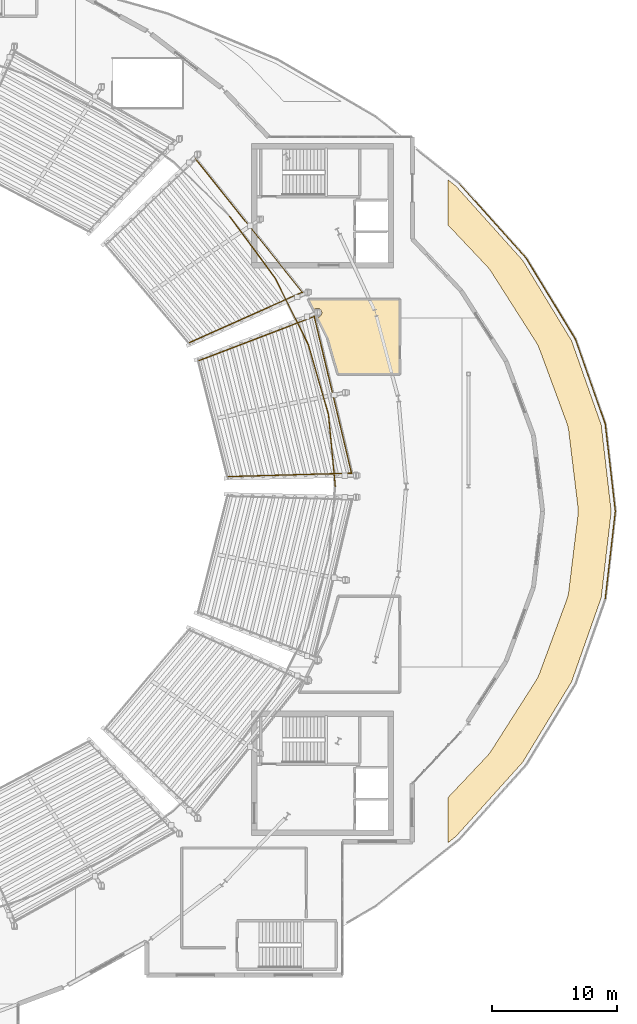
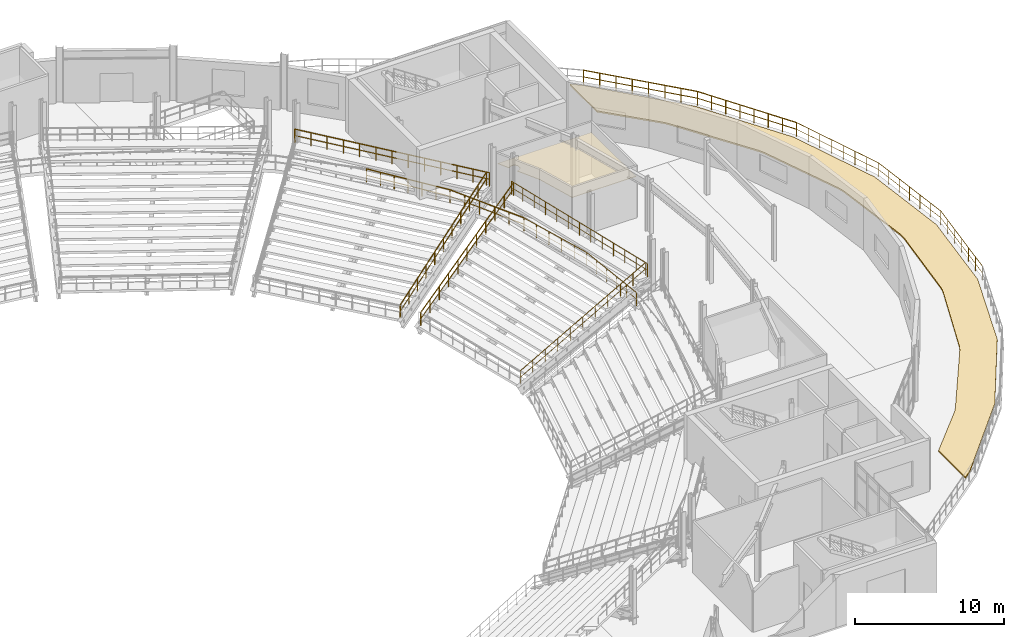
# One storey, part 80 of 81: 14 railings, 2 coverings.
"""IFC4 building model written with IfcOpenShell, lengths in metres."""

from ifc_helpers import new_model, si_unit, direction, frame, origin, origin_2d, place, context, subcontext, project, spatial, polyline, circle, outline, extrude, material, layer, layer_set, type_object, element, save


model = new_model("IFC4")

# Units and contexts
model_context = context("Model", 3, precision=1e-05, world=origin(), true_north=direction((0.0, 1.0)))
body_context = subcontext(model_context, "Body", "Model", "MODEL_VIEW")
ifc_project = project(units=[si_unit("LENGTHUNIT", "METRE"), si_unit("AREAUNIT", "SQUARE_METRE"), si_unit("VOLUMEUNIT", "CUBIC_METRE"), si_unit("PLANEANGLEUNIT", "RADIAN"), si_unit("MASSUNIT", "GRAM", prefix="KILO")], contexts=[model_context])

# Site, building, storey
site_placement = place(None, origin())
site = spatial("IfcSite", under=ifc_project, at=site_placement, CompositionType="ELEMENT")
building_placement = place(site_placement, origin())
building = spatial("IfcBuilding", under=site, at=building_placement, Name="Glasvene Arena", CompositionType="ELEMENT")
storey_placement = place(building_placement, frame((0.0, 0.0, 15.0)))
storey = spatial("IfcBuildingStorey", under=building, at=storey_placement, Name="L03", CompositionType="ELEMENT", Elevation=15.0)

# Coverings
ifc_material_1 = material(Name="Perforated acoustic mineral ceiling tile")
ifc_layer_1 = layer(ifc_material_1, 0.0400390625)
ifc_layer_set_1 = layer_set([ifc_layer_1], Name="Perforated acoustic mineral ceiling tile")
covering_type_1 = type_object("IfcCoveringType", Name="COV-CEIL-AC", PredefinedType="CEILING", material=ifc_layer_set_1)
covering_1_placement = place(storey_placement, frame((135.384521484375, 86.727783203125, 3.31005859375)))
element("IfcCovering", 1, at=covering_1_placement, inside=storey, type_object=covering_type_1, Name="Acoustic suspended ceiling Founders Hospitality Suite 04", PredefinedType="CEILING", context=body_context, shape_type="SweptSolid", body=[
    extrude(outline(polyline([(6.095458984375, -4.707763671875), (1.148681640625, -4.707763671875), (0.322998046875, -1.83447265625), (-0.50341796875, -0.1650390625), (-0.48193359375, -0.163818359375), (-0.374755859375, -0.142333984375), (-0.35986328125, -0.137939453125), (-0.345947265625, -0.13037109375), (-0.255126953125, -0.06982421875), (-0.242919921875, -0.059814453125), (-0.233154296875, -0.047607421875), (-0.17236328125, 0.043212890625), (-0.1650390625, 0.056884765625), (-0.160400390625, 0.072021484375), (-0.13916015625, 0.17919921875), (-0.1376953125, 0.19482421875), (-0.13916015625, 0.210205078125), (-0.160400390625, 0.317626953125), (-0.1650390625, 0.33251953125), (-0.17236328125, 0.346435546875), (-0.233154296875, 0.43701171875), (-0.242919921875, 0.44921875), (-0.255126953125, 0.459228515625), (-0.345947265625, 0.52001953125), (-0.35986328125, 0.52734375), (-0.374755859375, 0.53173828125), (-0.48193359375, 0.55322265625), (-0.49755859375, 0.5546875), (-0.51318359375, 0.55322265625), (-0.620361328125, 0.53173828125), (-0.635498046875, 0.52734375), (-0.649169921875, 0.52001953125), (-0.739990234375, 0.459228515625), (-0.752197265625, 0.44921875), (-0.76220703125, 0.43701171875), (-0.784912109375, 0.4033203125), (-1.205322265625, 1.252197265625), (6.095458984375, 1.252197265625), (6.095458984375, -4.707763671875)])), origin(), (0.0, 0.0, 1.0), 0.0400390625),
])
ifc_material_2 = material(Name="Planted sedum green roof substrate")
ifc_layer_2 = layer(ifc_material_2, 0.1201171875)
ifc_layer_set_2 = layer_set([ifc_layer_2], Name="Planted sedum green roof substrate")
covering_type_2 = type_object("IfcCoveringType", Name="COV-ROOF-SEDUM", PredefinedType="ROOFING", material=ifc_layer_set_2)
covering_2_placement = place(storey_placement, frame((151.9306640625, 70.06982421875, 0.0)))
element("IfcCovering", 2, at=covering_2_placement, inside=storey, type_object=covering_type_2, Name="Planted limestone terrace sedum bed TR-L03-STEP2-1-04", PredefinedType="ROOFING", context=body_context, shape_type="SweptSolid", body=[
    extrude(outline(polyline([(-6.58447265625, -25.657958984375), (-6.5810546875, -25.592041015625), (-6.58056640625, -25.56982421875), (-6.58056640625, -22.036376953125), (-3.441650390625, -18.708251953125), (-3.42724609375, -18.6923828125), (-3.280029296875, -18.520751953125), (-3.25390625, -18.4873046875), (-3.12353515625, -18.302490234375), (-3.111572265625, -18.284912109375), (0.48828125, -12.63818359375), (0.500732421875, -12.617431640625), (0.626708984375, -12.39453125), (0.64794921875, -12.351318359375), (0.74951171875, -12.1162109375), (0.758544921875, -12.09375), (2.95458984375, -6.150634765625), (2.962890625, -6.1259765625), (3.04443359375, -5.858154296875), (3.056884765625, -5.80712890625), (3.106689453125, -5.53173828125), (3.110595703125, -5.505615234375), (3.8486328125, 0.58740234375), (3.85107421875, 0.614501953125), (3.86865234375, 0.903076171875), (3.86865234375, 0.957275390625), (3.85107421875, 1.245849609375), (3.8486328125, 1.27294921875), (3.110595703125, 7.365966796875), (3.106689453125, 7.39208984375), (3.056884765625, 7.66748046875), (3.04443359375, 7.718505859375), (2.962890625, 7.986328125), (2.95458984375, 8.010986328125), (0.758544921875, 13.9541015625), (0.74951171875, 13.9765625), (0.64794921875, 14.211669921875), (0.626708984375, 14.2548828125), (0.500732421875, 14.477783203125), (0.48828125, 14.49853515625), (-3.111572265625, 20.145263671875), (-3.12353515625, 20.162841796875), (-3.25390625, 20.34765625), (-3.280029296875, 20.381103515625), (-3.42724609375, 20.552734375), (-3.441650390625, 20.568603515625), (-6.58056640625, 23.896728515625), (-6.58056640625, 27.515380859375), (-5.92626953125, 26.9931640625), (-0.576171875, 21.044677734375), (3.3349609375, 14.611328125), (5.716796875, 7.852294921875), (6.516357421875, 0.93017578125), (5.716796875, -5.991943359375), (3.3349609375, -12.7509765625), (-0.576171875, -19.184326171875), (-5.92626953125, -25.1328125), (-6.58447265625, -25.657958984375)])), origin(), (0.0, 0.0, 1.0), 0.1201171875),
])

# Railings
ifc_material_3 = material(Name="Brushed stainless steel", Category="steel")
railing_type_1 = type_object("IfcRailingType", Name="RL-GUARD-1100", PredefinedType="GUARDRAIL", material=ifc_material_3)
railing_1_placement = place(storey_placement, frame((136.320068359375, 73.0, 0.0)))
element("IfcRailing", 3, at=railing_1_placement, inside=storey, type_object=railing_type_1, Name="Safety guardrail GD-BWL-L03-001", PredefinedType="GUARDRAIL", context=body_context, shape_type="SweptSolid", body=[
    extrude(circle(Radius=0.02392578125, at=origin_2d()), frame((0.0, 0.0, 1.076171875), z_axis=(-0.094309265042, 0.99554294861, 0.0), x_axis=(-0.99554294861, -0.094309265042, 0.0)), (0.0, 0.0, 1.0), 5.785888671875),
    extrude(circle(Radius=0.01611328125, at=origin_2d()), frame((0.0, 0.0, 0.550048828125), z_axis=(-0.094309265042, 0.99554294861, 0.0), x_axis=(-0.99554294861, -0.094309265042, 0.0)), (0.0, 0.0, 1.0), 5.785888671875),
    extrude(circle(Radius=0.02099609375, at=origin_2d()), origin(), (0.0, 0.0, 1.0), 1.052001953125),
    extrude(circle(Radius=0.02099609375, at=origin_2d()), frame((-0.109130859375, 1.152099609375, 0.0)), (0.0, 0.0, 1.0), 1.052001953125),
    extrude(circle(Radius=0.02099609375, at=origin_2d()), frame((-0.21826171875, 2.303955078125, 0.0)), (0.0, 0.0, 1.0), 1.052001953125),
    extrude(circle(Radius=0.02099609375, at=origin_2d()), frame((-0.327392578125, 3.4560546875, 0.0)), (0.0, 0.0, 1.0), 1.052001953125),
    extrude(circle(Radius=0.02099609375, at=origin_2d()), frame((-0.4365234375, 4.60791015625, 0.0)), (0.0, 0.0, 1.0), 1.052001953125),
    extrude(circle(Radius=0.02099609375, at=origin_2d()), frame((-0.545654296875, 5.760009765625, 0.0)), (0.0, 0.0, 1.0), 1.052001953125),
])
railing_2_placement = place(storey_placement, frame((135.7744140625, 78.760009765625, 0.0)))
element("IfcRailing", 4, at=railing_2_placement, inside=storey, type_object=railing_type_1, Name="Safety guardrail GD-BWL-L03-002", PredefinedType="GUARDRAIL", context=body_context, shape_type="SweptSolid", body=[
    extrude(circle(Radius=0.02392578125, at=origin_2d()), frame((0.0, 0.0, 1.076171875), z_axis=(-0.27763127496, 0.960687709489, 0.0), x_axis=(-0.960687709489, -0.27763127496, 0.0)), (0.0, 0.0, 1.0), 5.847900390625),
    extrude(circle(Radius=0.01611328125, at=origin_2d()), frame((0.0, 0.0, 0.550048828125), z_axis=(-0.27763127496, 0.960687709489, 0.0), x_axis=(-0.960687709489, -0.27763127496, 0.0)), (0.0, 0.0, 1.0), 5.847900390625),
    extrude(circle(Radius=0.02099609375, at=origin_2d()), origin(), (0.0, 0.0, 1.0), 1.052001953125),
    extrude(circle(Radius=0.02099609375, at=origin_2d()), frame((-0.32470703125, 1.12353515625, 0.0)), (0.0, 0.0, 1.0), 1.052001953125),
    extrude(circle(Radius=0.02099609375, at=origin_2d()), frame((-0.6494140625, 2.2470703125, 0.0)), (0.0, 0.0, 1.0), 1.052001953125),
    extrude(circle(Radius=0.02099609375, at=origin_2d()), frame((-0.97412109375, 3.370849609375, 0.0)), (0.0, 0.0, 1.0), 1.052001953125),
    extrude(circle(Radius=0.02099609375, at=origin_2d()), frame((-1.298828125, 4.494384765625, 0.0)), (0.0, 0.0, 1.0), 1.052001953125),
    extrude(circle(Radius=0.02099609375, at=origin_2d()), frame((-1.62353515625, 5.617919921875, 0.0)), (0.0, 0.0, 1.0), 1.052001953125),
])
railing_3_placement = place(storey_placement, frame((134.15087890625, 84.3779296875, 0.0)))
element("IfcRailing", 5, at=railing_3_placement, inside=storey, type_object=railing_type_1, Name="Safety guardrail GD-BWL-L03-003", PredefinedType="GUARDRAIL", context=body_context, shape_type="SweptSolid", body=[
    extrude(circle(Radius=0.02392578125, at=origin_2d()), frame((0.0, 0.0, 1.076171875), z_axis=(-0.446198197372, 0.894934170016, 0.0), x_axis=(-0.894934170016, -0.446198197372, 0.0)), (0.0, 0.0, 1.0), 5.964599609375),
    extrude(circle(Radius=0.01611328125, at=origin_2d()), frame((0.0, 0.0, 0.550048828125), z_axis=(-0.446198197372, 0.894934170016, 0.0), x_axis=(-0.894934170016, -0.446198197372, 0.0)), (0.0, 0.0, 1.0), 5.964599609375),
    extrude(circle(Radius=0.02099609375, at=origin_2d()), origin(), (0.0, 0.0, 1.0), 1.052001953125),
    extrude(circle(Radius=0.02099609375, at=origin_2d()), frame((-0.5322265625, 1.067626953125, 0.0)), (0.0, 0.0, 1.0), 1.052001953125),
    extrude(circle(Radius=0.02099609375, at=origin_2d()), frame((-1.064453125, 2.13525390625, 0.0)), (0.0, 0.0, 1.0), 1.052001953125),
    extrude(circle(Radius=0.02099609375, at=origin_2d()), frame((-1.596923828125, 3.20263671875, 0.0)), (0.0, 0.0, 1.0), 1.052001953125),
    extrude(circle(Radius=0.02099609375, at=origin_2d()), frame((-2.129150390625, 4.270263671875, 0.0)), (0.0, 0.0, 1.0), 1.052001953125),
    extrude(circle(Radius=0.02099609375, at=origin_2d()), frame((-2.661376953125, 5.337890625, 0.0)), (0.0, 0.0, 1.0), 1.052001953125),
])
railing_4_placement = place(storey_placement, frame((131.489501953125, 89.7158203125, 0.0)))
element("IfcRailing", 6, at=railing_4_placement, inside=storey, type_object=railing_type_1, Name="Safety guardrail GD-BWL-L03-004", PredefinedType="GUARDRAIL", context=body_context, shape_type="SweptSolid", body=[
    extrude(circle(Radius=0.02392578125, at=origin_2d()), frame((0.0, 0.0, 1.076171875), z_axis=(-0.593593483954, 0.804765043853, 0.0), x_axis=(-0.804765043853, -0.593593483954, 0.0)), (0.0, 0.0, 1.0), 6.12158203125),
    extrude(circle(Radius=0.01611328125, at=origin_2d()), frame((0.0, 0.0, 0.550048828125), z_axis=(-0.593593483954, 0.804765043853, 0.0), x_axis=(-0.804765043853, -0.593593483954, 0.0)), (0.0, 0.0, 1.0), 6.12158203125),
    extrude(circle(Radius=0.02099609375, at=origin_2d()), origin(), (0.0, 0.0, 1.0), 1.052001953125),
    extrude(circle(Radius=0.02099609375, at=origin_2d()), frame((-0.605712890625, 0.821044921875, 0.0)), (0.0, 0.0, 1.0), 1.052001953125),
    extrude(circle(Radius=0.02099609375, at=origin_2d()), frame((-1.211181640625, 1.64208984375, 0.0)), (0.0, 0.0, 1.0), 1.052001953125),
    extrude(circle(Radius=0.02099609375, at=origin_2d()), frame((-1.81689453125, 2.46337890625, 0.0)), (0.0, 0.0, 1.0), 1.052001953125),
    extrude(circle(Radius=0.02099609375, at=origin_2d()), frame((-2.422607421875, 3.284423828125, 0.0)), (0.0, 0.0, 1.0), 1.052001953125),
    extrude(circle(Radius=0.02099609375, at=origin_2d()), frame((-3.028076171875, 4.10546875, 0.0)), (0.0, 0.0, 1.0), 1.052001953125),
    extrude(circle(Radius=0.02099609375, at=origin_2d()), frame((-3.6337890625, 4.926513671875, 0.0)), (0.0, 0.0, 1.0), 1.052001953125),
])
railing_5_placement = place(storey_placement, frame((137.668212890625, 73.8662109375, 1.3798828125)))
element("IfcRailing", 7, at=railing_5_placement, inside=storey, type_object=railing_type_1, Name="Safety guardrail GD-TU-UR-01-001", PredefinedType="GUARDRAIL", context=body_context, shape_type="SweptSolid", body=[
    extrude(circle(Radius=0.02392578125, at=origin_2d()), frame((0.0, 0.0, 1.076171875), z_axis=(-0.231512176675, 0.972832006079, 0.0), x_axis=(-0.972832006079, -0.231512176675, 0.0)), (0.0, 0.0, 1.0), 13.302001953125),
    extrude(circle(Radius=0.01611328125, at=origin_2d()), frame((0.0, 0.0, 0.550048828125), z_axis=(-0.231512176675, 0.972832006079, 0.0), x_axis=(-0.972832006079, -0.231512176675, 0.0)), (0.0, 0.0, 1.0), 13.302001953125),
    extrude(circle(Radius=0.02099609375, at=origin_2d()), origin(), (0.0, 0.0, 1.0), 1.052001953125),
    extrude(circle(Radius=0.02099609375, at=origin_2d()), frame((-0.256591796875, 1.078369140625, 0.0)), (0.0, 0.0, 1.0), 1.052001953125),
    extrude(circle(Radius=0.02099609375, at=origin_2d()), frame((-0.51318359375, 2.15673828125, 0.0)), (0.0, 0.0, 1.0), 1.052001953125),
    extrude(circle(Radius=0.02099609375, at=origin_2d()), frame((-0.77001953125, 3.235107421875, 0.0)), (0.0, 0.0, 1.0), 1.052001953125),
    extrude(circle(Radius=0.02099609375, at=origin_2d()), frame((-1.026611328125, 4.3134765625, 0.0)), (0.0, 0.0, 1.0), 1.052001953125),
    extrude(circle(Radius=0.02099609375, at=origin_2d()), frame((-1.283203125, 5.391845703125, 0.0)), (0.0, 0.0, 1.0), 1.052001953125),
    extrude(circle(Radius=0.02099609375, at=origin_2d()), frame((-1.539794921875, 6.47021484375, 0.0)), (0.0, 0.0, 1.0), 1.052001953125),
    extrude(circle(Radius=0.02099609375, at=origin_2d()), frame((-1.79638671875, 7.548828125, 0.0)), (0.0, 0.0, 1.0), 1.052001953125),
    extrude(circle(Radius=0.02099609375, at=origin_2d()), frame((-2.052978515625, 8.627197265625, 0.0)), (0.0, 0.0, 1.0), 1.052001953125),
    extrude(circle(Radius=0.02099609375, at=origin_2d()), frame((-2.3095703125, 9.70556640625, 0.0)), (0.0, 0.0, 1.0), 1.052001953125),
    extrude(circle(Radius=0.02099609375, at=origin_2d()), frame((-2.56640625, 10.783935546875, 0.0)), (0.0, 0.0, 1.0), 1.052001953125),
    extrude(circle(Radius=0.02099609375, at=origin_2d()), frame((-2.822998046875, 11.8623046875, 0.0)), (0.0, 0.0, 1.0), 1.052001953125),
    extrude(circle(Radius=0.02099609375, at=origin_2d()), frame((-3.07958984375, 12.940673828125, 0.0)), (0.0, 0.0, 1.0), 1.052001953125),
])
railing_6_placement = place(storey_placement, frame((127.736328125, 73.781982421875, -3.89990234375)))
element("IfcRailing", 8, at=railing_6_placement, inside=storey, type_object=railing_type_1, Name="Upper tier radial aisle guard 01-1", PredefinedType="GUARDRAIL", context=body_context, shape_type="SweptSolid", body=[
    extrude(circle(Radius=0.02392578125, at=origin_2d()), frame((0.0, 0.0, 1.076171875), z_axis=(0.882023201836, 0.024435970289, 0.470571944317), x_axis=(-0.027693826966, 0.99961645242, 0.0)), (0.0, 0.0, 1.0), 11.219970703125),
    extrude(circle(Radius=0.01611328125, at=origin_2d()), frame((0.0, 0.0, 0.550048828125), z_axis=(0.882023201836, 0.024435970289, 0.470571944317), x_axis=(-0.027693826966, 0.99961645242, 0.0)), (0.0, 0.0, 1.0), 11.219970703125),
    extrude(circle(Radius=0.02099609375, at=origin_2d()), origin(), (0.0, 0.0, 1.0), 1.052001953125),
    extrude(circle(Radius=0.02099609375, at=origin_2d()), frame((0.98974609375, 0.02734375, 0.528076171875)), (0.0, 0.0, 1.0), 1.052001953125),
    extrude(circle(Radius=0.02099609375, at=origin_2d()), frame((1.979248046875, 0.054931640625, 1.055908203125)), (0.0, 0.0, 1.0), 1.052001953125),
    extrude(circle(Radius=0.02099609375, at=origin_2d()), frame((2.96875, 0.082275390625, 1.583984375)), (0.0, 0.0, 1.0), 1.052001953125),
    extrude(circle(Radius=0.02099609375, at=origin_2d()), frame((3.95849609375, 0.109619140625, 2.11181640625)), (0.0, 0.0, 1.0), 1.052001953125),
    extrude(circle(Radius=0.02099609375, at=origin_2d()), frame((4.9482421875, 0.13720703125, 2.639892578125)), (0.0, 0.0, 1.0), 1.052001953125),
    extrude(circle(Radius=0.02099609375, at=origin_2d()), frame((5.937744140625, 0.16455078125, 3.16796875)), (0.0, 0.0, 1.0), 1.052001953125),
    extrude(circle(Radius=0.02099609375, at=origin_2d()), frame((6.92724609375, 0.19189453125, 3.69580078125)), (0.0, 0.0, 1.0), 1.052001953125),
    extrude(circle(Radius=0.02099609375, at=origin_2d()), frame((7.9169921875, 0.21923828125, 4.223876953125)), (0.0, 0.0, 1.0), 1.052001953125),
    extrude(circle(Radius=0.02099609375, at=origin_2d()), frame((8.90673828125, 0.246826171875, 4.751708984375)), (0.0, 0.0, 1.0), 1.052001953125),
    extrude(circle(Radius=0.02099609375, at=origin_2d()), frame((9.896240234375, 0.274169921875, 5.27978515625)), (0.0, 0.0, 1.0), 1.052001953125),
])
railing_7_placement = place(storey_placement, frame((125.394775390625, 83.083984375, -3.89990234375)))
element("IfcRailing", 9, at=railing_7_placement, inside=storey, type_object=railing_type_1, Name="Upper tier radial aisle guard 01-2", PredefinedType="GUARDRAIL", context=body_context, shape_type="SweptSolid", body=[
    extrude(circle(Radius=0.02392578125, at=origin_2d()), frame((0.0, 0.0, 1.076171875), z_axis=(0.824230449904, 0.314969660296, 0.470572288329), x_axis=(-0.3569621743, 0.934118839399, 0.0)), (0.0, 0.0, 1.0), 11.219970703125),
    extrude(circle(Radius=0.01611328125, at=origin_2d()), frame((0.0, 0.0, 0.550048828125), z_axis=(0.824230449904, 0.314969660296, 0.470572288329), x_axis=(-0.3569621743, 0.934118839399, 0.0)), (0.0, 0.0, 1.0), 11.219970703125),
    extrude(circle(Radius=0.02099609375, at=origin_2d()), origin(), (0.0, 0.0, 1.0), 1.052001953125),
    extrude(circle(Radius=0.02099609375, at=origin_2d()), frame((0.9248046875, 0.353515625, 0.528076171875)), (0.0, 0.0, 1.0), 1.052001953125),
    extrude(circle(Radius=0.02099609375, at=origin_2d()), frame((1.849609375, 0.706787109375, 1.055908203125)), (0.0, 0.0, 1.0), 1.052001953125),
    extrude(circle(Radius=0.02099609375, at=origin_2d()), frame((2.7744140625, 1.06005859375, 1.583984375)), (0.0, 0.0, 1.0), 1.052001953125),
    extrude(circle(Radius=0.02099609375, at=origin_2d()), frame((3.69921875, 1.41357421875, 2.11181640625)), (0.0, 0.0, 1.0), 1.052001953125),
    extrude(circle(Radius=0.02099609375, at=origin_2d()), frame((4.6240234375, 1.76708984375, 2.639892578125)), (0.0, 0.0, 1.0), 1.052001953125),
    extrude(circle(Radius=0.02099609375, at=origin_2d()), frame((5.548583984375, 2.120361328125, 3.16796875)), (0.0, 0.0, 1.0), 1.052001953125),
    extrude(circle(Radius=0.02099609375, at=origin_2d()), frame((6.473388671875, 2.4736328125, 3.69580078125)), (0.0, 0.0, 1.0), 1.052001953125),
    extrude(circle(Radius=0.02099609375, at=origin_2d()), frame((7.398193359375, 2.8271484375, 4.223876953125)), (0.0, 0.0, 1.0), 1.052001953125),
    extrude(circle(Radius=0.02099609375, at=origin_2d()), frame((8.322998046875, 3.1806640625, 4.751708984375)), (0.0, 0.0, 1.0), 1.052001953125),
    extrude(circle(Radius=0.02099609375, at=origin_2d()), frame((9.247802734375, 3.533935546875, 5.27978515625)), (0.0, 0.0, 1.0), 1.052001953125),
])
railing_8_placement = place(storey_placement, frame((133.79541015625, 88.407470703125, 1.3798828125)))
element("IfcRailing", 10, at=railing_8_placement, inside=storey, type_object=railing_type_1, Name="Safety guardrail GD-TU-UR-02-001", PredefinedType="GUARDRAIL", context=body_context, shape_type="SweptSolid", body=[
    extrude(circle(Radius=0.02392578125, at=origin_2d()), frame((0.0, 0.0, 1.076171875), z_axis=(-0.624430035096, 0.781080745679, 0.0), x_axis=(-0.781080745679, -0.624430035096, 0.0)), (0.0, 0.0, 1.0), 14.045166015625),
    extrude(circle(Radius=0.01611328125, at=origin_2d()), frame((0.0, 0.0, 0.550048828125), z_axis=(-0.624430035096, 0.781080745679, 0.0), x_axis=(-0.781080745679, -0.624430035096, 0.0)), (0.0, 0.0, 1.0), 14.045166015625),
    extrude(circle(Radius=0.02099609375, at=origin_2d()), origin(), (0.0, 0.0, 1.0), 1.052001953125),
    extrude(circle(Radius=0.02099609375, at=origin_2d()), frame((-0.73095703125, 0.914306640625, 0.0)), (0.0, 0.0, 1.0), 1.052001953125),
    extrude(circle(Radius=0.02099609375, at=origin_2d()), frame((-1.461669921875, 1.828369140625, 0.0)), (0.0, 0.0, 1.0), 1.052001953125),
    extrude(circle(Radius=0.02099609375, at=origin_2d()), frame((-2.192626953125, 2.74267578125, 0.0)), (0.0, 0.0, 1.0), 1.052001953125),
    extrude(circle(Radius=0.02099609375, at=origin_2d()), frame((-2.92333984375, 3.65673828125, 0.0)), (0.0, 0.0, 1.0), 1.052001953125),
    extrude(circle(Radius=0.02099609375, at=origin_2d()), frame((-3.654296875, 4.571044921875, 0.0)), (0.0, 0.0, 1.0), 1.052001953125),
    extrude(circle(Radius=0.02099609375, at=origin_2d()), frame((-4.38525390625, 5.4853515625, 0.0)), (0.0, 0.0, 1.0), 1.052001953125),
    extrude(circle(Radius=0.02099609375, at=origin_2d()), frame((-5.115966796875, 6.3994140625, 0.0)), (0.0, 0.0, 1.0), 1.052001953125),
    extrude(circle(Radius=0.02099609375, at=origin_2d()), frame((-5.846923828125, 7.313720703125, 0.0)), (0.0, 0.0, 1.0), 1.052001953125),
    extrude(circle(Radius=0.02099609375, at=origin_2d()), frame((-6.57763671875, 8.227783203125, 0.0)), (0.0, 0.0, 1.0), 1.052001953125),
    extrude(circle(Radius=0.02099609375, at=origin_2d()), frame((-7.30859375, 9.14208984375, 0.0)), (0.0, 0.0, 1.0), 1.052001953125),
    extrude(circle(Radius=0.02099609375, at=origin_2d()), frame((-8.039306640625, 10.05615234375, 0.0)), (0.0, 0.0, 1.0), 1.052001953125),
    extrude(circle(Radius=0.02099609375, at=origin_2d()), frame((-8.770263671875, 10.970458984375, 0.0)), (0.0, 0.0, 1.0), 1.052001953125),
])
railing_9_placement = place(storey_placement, frame((124.63720703125, 84.529296875, -3.89990234375)))
element("IfcRailing", 11, at=railing_9_placement, inside=storey, type_object=railing_type_1, Name="Upper tier radial aisle guard 02-1", PredefinedType="GUARDRAIL", context=body_context, shape_type="SweptSolid", body=[
    extrude(circle(Radius=0.02392578125, at=origin_2d()), frame((0.0, 0.0, 1.076171875), z_axis=(0.805537930588, 0.360098520078, 0.470571671715), x_axis=(-0.408107570305, 0.912933848129, 0.0)), (0.0, 0.0, 1.0), 11.219970703125),
    extrude(circle(Radius=0.01611328125, at=origin_2d()), frame((0.0, 0.0, 0.550048828125), z_axis=(0.805537930588, 0.360098520078, 0.470571671715), x_axis=(-0.408107570305, 0.912933848129, 0.0)), (0.0, 0.0, 1.0), 11.219970703125),
    extrude(circle(Radius=0.02099609375, at=origin_2d()), origin(), (0.0, 0.0, 1.0), 1.052001953125),
    extrude(circle(Radius=0.02099609375, at=origin_2d()), frame((0.90380859375, 0.404052734375, 0.528076171875)), (0.0, 0.0, 1.0), 1.052001953125),
    extrude(circle(Radius=0.02099609375, at=origin_2d()), frame((1.8076171875, 0.80810546875, 1.055908203125)), (0.0, 0.0, 1.0), 1.052001953125),
    extrude(circle(Radius=0.02099609375, at=origin_2d()), frame((2.71142578125, 1.212158203125, 1.583984375)), (0.0, 0.0, 1.0), 1.052001953125),
    extrude(circle(Radius=0.02099609375, at=origin_2d()), frame((3.615234375, 1.6162109375, 2.11181640625)), (0.0, 0.0, 1.0), 1.052001953125),
    extrude(circle(Radius=0.02099609375, at=origin_2d()), frame((4.51904296875, 2.02001953125, 2.639892578125)), (0.0, 0.0, 1.0), 1.052001953125),
    extrude(circle(Radius=0.02099609375, at=origin_2d()), frame((5.4228515625, 2.424072265625, 3.16796875)), (0.0, 0.0, 1.0), 1.052001953125),
    extrude(circle(Radius=0.02099609375, at=origin_2d()), frame((6.32666015625, 2.828125, 3.69580078125)), (0.0, 0.0, 1.0), 1.052001953125),
    extrude(circle(Radius=0.02099609375, at=origin_2d()), frame((7.23046875, 3.232177734375, 4.223876953125)), (0.0, 0.0, 1.0), 1.052001953125),
    extrude(circle(Radius=0.02099609375, at=origin_2d()), frame((8.13427734375, 3.63623046875, 4.751708984375)), (0.0, 0.0, 1.0), 1.052001953125),
    extrude(circle(Radius=0.02099609375, at=origin_2d()), frame((9.0380859375, 4.040283203125, 5.27978515625)), (0.0, 0.0, 1.0), 1.052001953125),
])
ifc_material_4 = material(Name="Warm bronze architectural aluminium", Category="aluminium")
railing_type_2 = type_object("IfcRailingType", Name="RL-GUARD-EXT-1150", PredefinedType="GUARDRAIL", material=ifc_material_4)
railing_10_placement = place(storey_placement, frame((146.231689453125, 97.303955078125, 0.0)))
element("IfcRailing", 12, at=railing_10_placement, inside=storey, type_object=railing_type_2, Name="Safety guardrail GD-TER-L03-TR-L03-STEP2-1-01-001", PredefinedType="GUARDRAIL", context=body_context, shape_type="SweptSolid", body=[
    extrude(circle(Radius=0.02392578125, at=origin_2d()), frame((0.0, 0.0, 1.1259765625), z_axis=(0.66871697273, -0.743517054534, 0.0), x_axis=(0.743517054534, 0.66871697273, 0.0)), (0.0, 0.0, 1.0), 8.05859375),
    extrude(circle(Radius=0.01611328125, at=origin_2d()), frame((0.0, 0.0, 0.574951171875), z_axis=(0.66871697273, -0.743517054534, 0.0), x_axis=(0.743517054534, 0.66871697273, 0.0)), (0.0, 0.0, 1.0), 8.05859375),
    extrude(circle(Radius=0.02099609375, at=origin_2d()), origin(), (0.0, 0.0, 1.0), 1.101806640625),
    extrude(circle(Radius=0.02099609375, at=origin_2d()), frame((0.769775390625, -0.85595703125, 0.0)), (0.0, 0.0, 1.0), 1.101806640625),
    extrude(circle(Radius=0.02099609375, at=origin_2d()), frame((1.539794921875, -1.7119140625, 0.0)), (0.0, 0.0, 1.0), 1.101806640625),
    extrude(circle(Radius=0.02099609375, at=origin_2d()), frame((2.3095703125, -2.56787109375, 0.0)), (0.0, 0.0, 1.0), 1.101806640625),
    extrude(circle(Radius=0.02099609375, at=origin_2d()), frame((3.079345703125, -3.423828125, 0.0)), (0.0, 0.0, 1.0), 1.101806640625),
    extrude(circle(Radius=0.02099609375, at=origin_2d()), frame((3.84912109375, -4.27978515625, 0.0)), (0.0, 0.0, 1.0), 1.101806640625),
    extrude(circle(Radius=0.02099609375, at=origin_2d()), frame((4.619140625, -5.1357421875, 0.0)), (0.0, 0.0, 1.0), 1.101806640625),
    extrude(circle(Radius=0.02099609375, at=origin_2d()), frame((5.388916015625, -5.99169921875, 0.0)), (0.0, 0.0, 1.0), 1.101806640625),
])
railing_11_placement = place(storey_placement, frame((151.62060546875, 91.312255859375, 0.0)))
element("IfcRailing", 13, at=railing_11_placement, inside=storey, type_object=railing_type_2, Name="Safety guardrail GD-TER-L03-TR-L03-STEP2-1-01-002", PredefinedType="GUARDRAIL", context=body_context, shape_type="SweptSolid", body=[
    extrude(circle(Radius=0.02392578125, at=origin_2d()), frame((0.0, 0.0, 1.1259765625), z_axis=(0.519488943339, -0.854477172164, 0.0), x_axis=(0.854477172164, 0.519488943339, 0.0)), (0.0, 0.0, 1.0), 7.59423828125),
    extrude(circle(Radius=0.01611328125, at=origin_2d()), frame((0.0, 0.0, 0.574951171875), z_axis=(0.519488943339, -0.854477172164, 0.0), x_axis=(0.854477172164, 0.519488943339, 0.0)), (0.0, 0.0, 1.0), 7.59423828125),
    extrude(circle(Radius=0.02099609375, at=origin_2d()), origin(), (0.0, 0.0, 1.0), 1.101806640625),
    extrude(circle(Radius=0.02099609375, at=origin_2d()), frame((0.5634765625, -0.927001953125, 0.0)), (0.0, 0.0, 1.0), 1.101806640625),
    extrude(circle(Radius=0.02099609375, at=origin_2d()), frame((1.127197265625, -1.85400390625, 0.0)), (0.0, 0.0, 1.0), 1.101806640625),
    extrude(circle(Radius=0.02099609375, at=origin_2d()), frame((1.690673828125, -2.781005859375, 0.0)), (0.0, 0.0, 1.0), 1.101806640625),
    extrude(circle(Radius=0.02099609375, at=origin_2d()), frame((2.25439453125, -3.7080078125, 0.0)), (0.0, 0.0, 1.0), 1.101806640625),
    extrude(circle(Radius=0.02099609375, at=origin_2d()), frame((2.81787109375, -4.635009765625, 0.0)), (0.0, 0.0, 1.0), 1.101806640625),
    extrude(circle(Radius=0.02099609375, at=origin_2d()), frame((3.381591796875, -5.56201171875, 0.0)), (0.0, 0.0, 1.0), 1.101806640625),
    extrude(circle(Radius=0.02099609375, at=origin_2d()), frame((3.945068359375, -6.489013671875, 0.0)), (0.0, 0.0, 1.0), 1.101806640625),
])
railing_12_placement = place(storey_placement, frame((155.565673828125, 84.8232421875, 0.0)))
element("IfcRailing", 14, at=railing_12_placement, inside=storey, type_object=railing_type_2, Name="Safety guardrail GD-TER-L03-TR-L03-STEP2-1-01-003", PredefinedType="GUARDRAIL", context=body_context, shape_type="SweptSolid", body=[
    extrude(circle(Radius=0.02392578125, at=origin_2d()), frame((0.0, 0.0, 1.1259765625), z_axis=(0.332311933862, -0.943169538637, 0.0), x_axis=(0.943169538637, 0.332311933862, 0.0)), (0.0, 0.0, 1.0), 7.238037109375),
    extrude(circle(Radius=0.01611328125, at=origin_2d()), frame((0.0, 0.0, 0.574951171875), z_axis=(0.332311933862, -0.943169538637, 0.0), x_axis=(0.943169538637, 0.332311933862, 0.0)), (0.0, 0.0, 1.0), 7.238037109375),
    extrude(circle(Radius=0.02099609375, at=origin_2d()), origin(), (0.0, 0.0, 1.0), 1.101806640625),
    extrude(circle(Radius=0.02099609375, at=origin_2d()), frame((0.343505859375, -0.975341796875, 0.0)), (0.0, 0.0, 1.0), 1.101806640625),
    extrude(circle(Radius=0.02099609375, at=origin_2d()), frame((0.687255859375, -1.950439453125, 0.0)), (0.0, 0.0, 1.0), 1.101806640625),
    extrude(circle(Radius=0.02099609375, at=origin_2d()), frame((1.03076171875, -2.92578125, 0.0)), (0.0, 0.0, 1.0), 1.101806640625),
    extrude(circle(Radius=0.02099609375, at=origin_2d()), frame((1.37451171875, -3.90087890625, 0.0)), (0.0, 0.0, 1.0), 1.101806640625),
    extrude(circle(Radius=0.02099609375, at=origin_2d()), frame((1.718017578125, -4.876220703125, 0.0)), (0.0, 0.0, 1.0), 1.101806640625),
    extrude(circle(Radius=0.02099609375, at=origin_2d()), frame((2.061767578125, -5.851318359375, 0.0)), (0.0, 0.0, 1.0), 1.101806640625),
    extrude(circle(Radius=0.02099609375, at=origin_2d()), frame((2.4052734375, -6.82666015625, 0.0)), (0.0, 0.0, 1.0), 1.101806640625),
])
railing_13_placement = place(storey_placement, frame((157.970947265625, 77.99658203125, 0.0)))
element("IfcRailing", 15, at=railing_13_placement, inside=storey, type_object=railing_type_2, Name="Safety guardrail GD-TER-L03-TR-L03-STEP2-1-01-004", PredefinedType="GUARDRAIL", context=body_context, shape_type="SweptSolid", body=[
    extrude(circle(Radius=0.02392578125, at=origin_2d()), frame((0.0, 0.0, 1.1259765625), z_axis=(0.114771465344, -0.993391922024, 0.0), x_axis=(0.993391922024, 0.114771465344, 0.0)), (0.0, 0.0, 1.0), 7.043212890625),
    extrude(circle(Radius=0.01611328125, at=origin_2d()), frame((0.0, 0.0, 0.574951171875), z_axis=(0.114771465344, -0.993391922024, 0.0), x_axis=(0.993391922024, 0.114771465344, 0.0)), (0.0, 0.0, 1.0), 7.043212890625),
    extrude(circle(Radius=0.02099609375, at=origin_2d()), origin(), (0.0, 0.0, 1.0), 1.101806640625),
    extrude(circle(Radius=0.02099609375, at=origin_2d()), frame((0.134765625, -1.166015625, 0.0)), (0.0, 0.0, 1.0), 1.101806640625),
    extrude(circle(Radius=0.02099609375, at=origin_2d()), frame((0.26953125, -2.332275390625, 0.0)), (0.0, 0.0, 1.0), 1.101806640625),
    extrude(circle(Radius=0.02099609375, at=origin_2d()), frame((0.404296875, -3.498291015625, 0.0)), (0.0, 0.0, 1.0), 1.101806640625),
    extrude(circle(Radius=0.02099609375, at=origin_2d()), frame((0.538818359375, -4.664306640625, 0.0)), (0.0, 0.0, 1.0), 1.101806640625),
    extrude(circle(Radius=0.02099609375, at=origin_2d()), frame((0.673583984375, -5.83056640625, 0.0)), (0.0, 0.0, 1.0), 1.101806640625),
    extrude(circle(Radius=0.02099609375, at=origin_2d()), frame((0.808349609375, -6.99658203125, 0.0)), (0.0, 0.0, 1.0), 1.101806640625),
])
railing_14_placement = place(storey_placement, frame((158.779296875, 71.0, 0.0)))
element("IfcRailing", 16, at=railing_14_placement, inside=storey, type_object=railing_type_2, Name="Safety guardrail GD-TER-L03-TR-L03-STEP2-1-01-005", PredefinedType="GUARDRAIL", context=body_context, shape_type="SweptSolid", body=[
    extrude(circle(Radius=0.02392578125, at=origin_2d()), frame((0.0, 0.0, 1.1259765625), z_axis=(-0.114771465344, -0.993391922024, 0.0), x_axis=(0.993391922024, -0.114771465344, 0.0)), (0.0, 0.0, 1.0), 7.043212890625),
    extrude(circle(Radius=0.01611328125, at=origin_2d()), frame((0.0, 0.0, 0.574951171875), z_axis=(-0.114771465344, -0.993391922024, 0.0), x_axis=(0.993391922024, -0.114771465344, 0.0)), (0.0, 0.0, 1.0), 7.043212890625),
    extrude(circle(Radius=0.02099609375, at=origin_2d()), origin(), (0.0, 0.0, 1.0), 1.101806640625),
    extrude(circle(Radius=0.02099609375, at=origin_2d()), frame((-0.134765625, -1.166015625, 0.0)), (0.0, 0.0, 1.0), 1.101806640625),
    extrude(circle(Radius=0.02099609375, at=origin_2d()), frame((-0.26953125, -2.332275390625, 0.0)), (0.0, 0.0, 1.0), 1.101806640625),
    extrude(circle(Radius=0.02099609375, at=origin_2d()), frame((-0.404296875, -3.498291015625, 0.0)), (0.0, 0.0, 1.0), 1.101806640625),
    extrude(circle(Radius=0.02099609375, at=origin_2d()), frame((-0.538818359375, -4.664306640625, 0.0)), (0.0, 0.0, 1.0), 1.101806640625),
    extrude(circle(Radius=0.02099609375, at=origin_2d()), frame((-0.673583984375, -5.83056640625, 0.0)), (0.0, 0.0, 1.0), 1.101806640625),
    extrude(circle(Radius=0.02099609375, at=origin_2d()), frame((-0.808349609375, -6.99658203125, 0.0)), (0.0, 0.0, 1.0), 1.101806640625),
])

save(model, "model.ifc")
